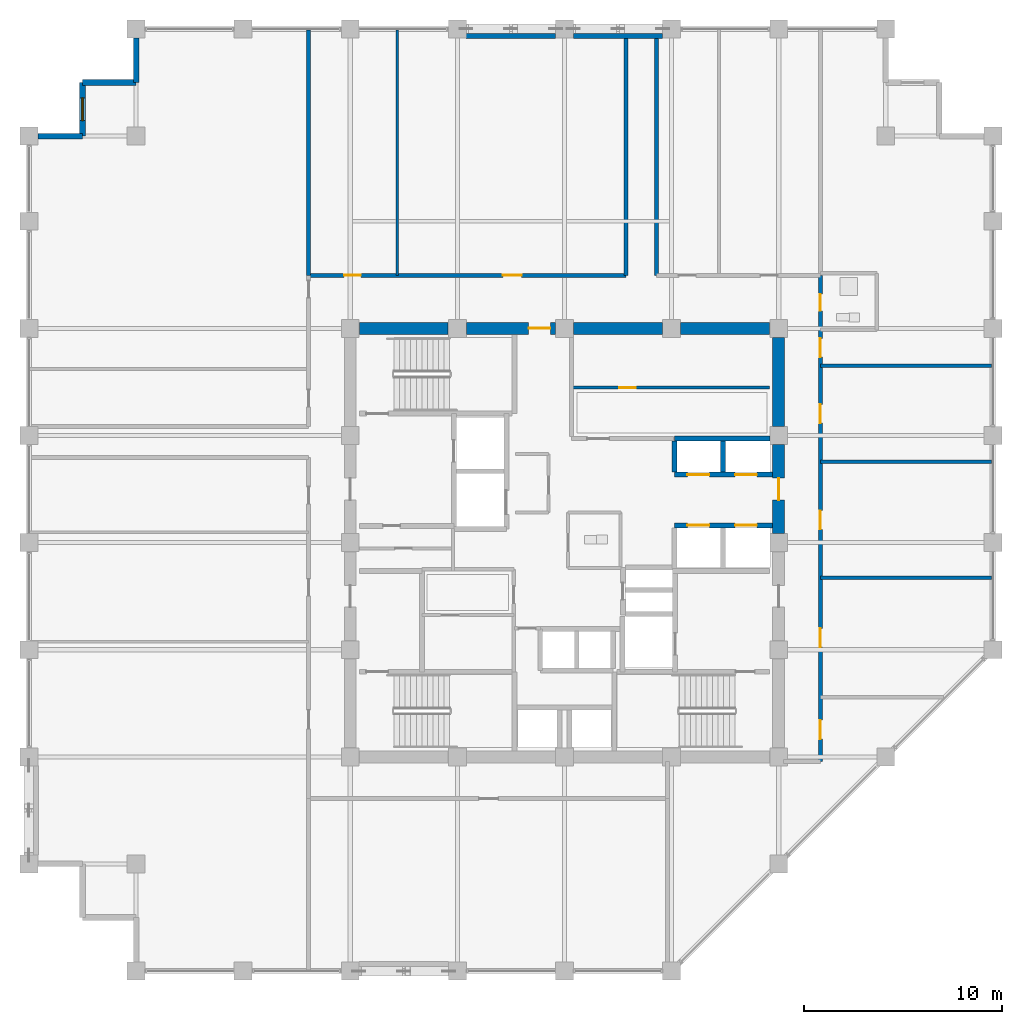
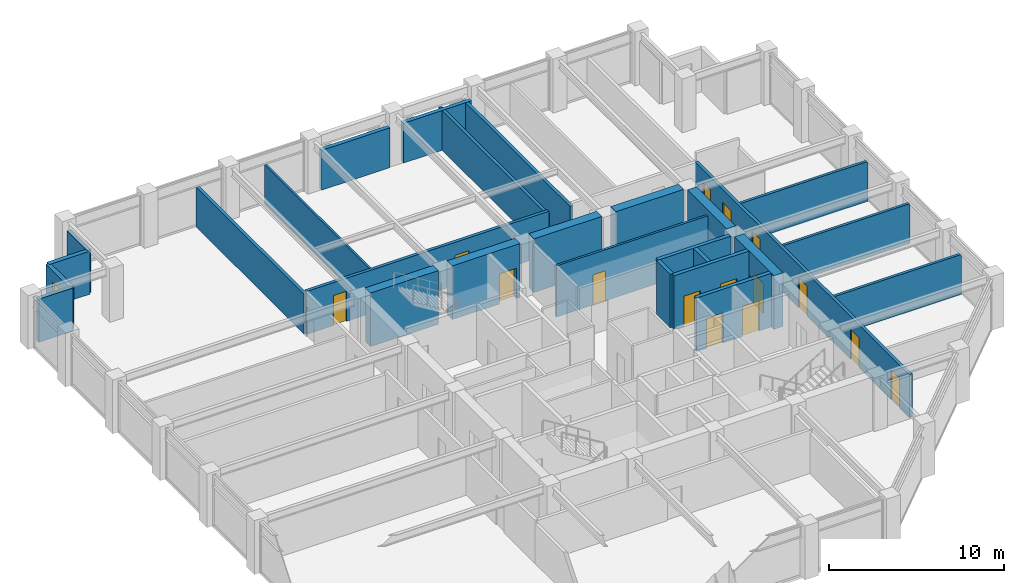
# One storey, part 29 of 32: 27 walls, 15 doors, 1 window, 16 openings.
"""IFC4 building model written with IfcOpenShell, lengths in metres."""

from ifc_helpers import new_model, si_unit, direction, frame, frame_2d, origin, place, context, subcontext, project, spatial, rectangle, extrude, material, layer, layer_set, type_object, element, fill, save


model = new_model("IFC4")

# Units and contexts
model_context = context("Model", 3, precision=1e-05, world=origin(), true_north=direction((0.0, 1.0)))
body_context = subcontext(model_context, "Body", "Model", "MODEL_VIEW")
ifc_project = project(units=[si_unit("LENGTHUNIT", "METRE"), si_unit("AREAUNIT", "SQUARE_METRE"), si_unit("VOLUMEUNIT", "CUBIC_METRE"), si_unit("PLANEANGLEUNIT", "RADIAN"), si_unit("MASSUNIT", "GRAM", prefix="KILO")], contexts=[model_context])

# Site, building, storey
site_placement = place(None, origin())
site = spatial("IfcSite", under=ifc_project, at=site_placement, CompositionType="ELEMENT")
building_placement = place(site_placement, origin())
building = spatial("IfcBuilding", under=site, at=building_placement, Name="Surkhivell Harbour Commons", CompositionType="ELEMENT")
storey_placement = place(building_placement, frame((0.0, 0.0, 201.0)))
storey = spatial("IfcBuildingStorey", under=building, at=storey_placement, Name="L52", CompositionType="ELEMENT", Elevation=201.0)

# Wall
ifc_material_1 = material(Name="Concrete C60/75", Category="concrete")
ifc_layer_1 = layer(ifc_material_1, 0.60009765625)
ifc_layer_set_1 = layer_set([ifc_layer_1], Name="Concrete C60/75")
wall_type_1 = type_object("IfcWallType", Name="WAL-CORE-600", PredefinedType="SHEAR", material=ifc_layer_set_1)
wall_1_placement = place(storey_placement, frame((-10.340087890625, 10.800048828125, 0.0), z_axis=(0.0, 0.0, 1.0), x_axis=(1.0, 0.0, 0.0)))
element("IfcWall", 1, at=wall_1_placement, inside=storey, type_object=wall_type_1, Name="L52 Core Shear Wall North 1", PredefinedType="SHEAR", context=body_context, shape_type="SweptSolid", body=[
    extrude(rectangle(XDim=4.47998046875, YDim=0.60009765625, at=frame_2d((2.239990234375, 0.0))), origin(), (0.0, 0.0, 1.0), 3.75),
])

# Wall, opening, door
wall_2_placement = place(storey_placement, frame((-4.93994140625, 10.800048828125, 0.0), z_axis=(0.0, 0.0, 1.0), x_axis=(1.0, 0.0, 0.0)))
wall_2 = element("IfcWall", 2, at=wall_2_placement, inside=storey, type_object=wall_type_1, Name="L52 Core Shear Wall North 2", PredefinedType="SHEAR", context=body_context, shape_type="SweptSolid", body=[
    extrude(rectangle(XDim=4.47998046875, YDim=0.60009765625, at=frame_2d((2.239990234375, 0.0))), origin(), (0.0, 0.0, 1.0), 3.75),
])
opening_1_placement = place(wall_2_placement, frame((3.1298828125, 0.0, 0.0)))
opening_1 = element("IfcOpeningElement", 3, at=opening_1_placement, cuts=wall_2, Name="Opening ID-2", PredefinedType="OPENING", context=body_context, shape_type="SweptSolid", body=[
    extrude(rectangle(XDim=1.10009765625, YDim=2.10009765625, at=frame_2d((0.550048828125, 1.050048828125))), frame((0.0, 0.31005859375, 0.0), z_axis=(0.0, -1.0, 0.0), x_axis=(1.0, 0.0, 0.0)), (0.0, 0.0, 1.0), 0.6201171875),
])
ifc_material_2 = material(Name="Hardwood-veneered fire-rated door leaf", Category="wood")
door_type_1 = type_object("IfcDoorType", Name="DOR-FD60-1100", OperationType="NOTDEFINED", PredefinedType="DOOR", material=ifc_material_2)
door_1_placement = place(opening_1_placement, origin())
door_1 = element("IfcDoor", 4, at=door_1_placement, inside=storey, type_object=door_type_1, Name="L52 Central Core Lift Hall North Corridor Door", OperationType="SINGLE_SWING_LEFT", OverallHeight=2.10009765625, OverallWidth=1.10009765625, PredefinedType="DOOR", context=body_context, shape_type="SweptSolid", body=[
    extrude(rectangle(XDim=1.10009765625, YDim=2.10009765625, at=frame_2d((0.550048828125, 1.050048828125))), frame((0.0, 0.02490234375, 0.0), z_axis=(0.0, -1.0, 0.0), x_axis=(1.0, 0.0, 0.0)), (0.0, 0.0, 1.0), 0.050048828125),
])
fill(opening_1, door_1)

# Wall
wall_3_placement = place(storey_placement, frame((0.4599609375, 10.800048828125, 0.0), z_axis=(0.0, 0.0, 1.0), x_axis=(1.0, 0.0, 0.0)))
element("IfcWall", 5, at=wall_3_placement, inside=storey, type_object=wall_type_1, Name="L52 Core Shear Wall North 3", PredefinedType="SHEAR", context=body_context, shape_type="SweptSolid", body=[
    extrude(rectangle(XDim=4.47998046875, YDim=0.60009765625, at=frame_2d((2.239990234375, 0.0))), origin(), (0.0, 0.0, 1.0), 3.75),
])

# Wall, opening, door
wall_4_placement = place(storey_placement, frame((10.800048828125, 0.4599609375, 0.0), z_axis=(0.0, 0.0, 1.0), x_axis=(0.0, 1.0, 0.0)))
wall_4 = element("IfcWall", 6, at=wall_4_placement, inside=storey, type_object=wall_type_1, Name="L52 Core Shear Wall East 3", PredefinedType="SHEAR", context=body_context, shape_type="SweptSolid", body=[
    extrude(rectangle(XDim=4.47998046875, YDim=0.60009765625, at=frame_2d((2.239990234375, 0.0))), origin(), (0.0, 0.0, 1.0), 3.75),
])
opening_2_placement = place(wall_4_placement, frame((1.68994140625, 0.0, 0.0)))
opening_2 = element("IfcOpeningElement", 7, at=opening_2_placement, cuts=wall_4, Name="Opening ID-2", PredefinedType="OPENING", context=body_context, shape_type="SweptSolid", body=[
    extrude(rectangle(XDim=1.10009765625, YDim=2.10009765625, at=frame_2d((0.550048828125, 1.050048828125))), frame((0.0, 0.31005859375, 0.0), z_axis=(0.0, -1.0, 0.0), x_axis=(1.0, 0.0, 0.0)), (0.0, 0.0, 1.0), 0.6201171875),
])
door_2_placement = place(opening_2_placement, origin())
door_2 = element("IfcDoor", 8, at=door_2_placement, inside=storey, type_object=door_type_1, Name="L52 Mid-Rise Lobby East Door", OperationType="SINGLE_SWING_LEFT", OverallHeight=2.10009765625, OverallWidth=1.10009765625, PredefinedType="DOOR", context=body_context, shape_type="SweptSolid", body=[
    extrude(rectangle(XDim=1.10009765625, YDim=2.10009765625, at=frame_2d((0.550048828125, 1.050048828125))), frame((0.0, 0.02490234375, 0.0), z_axis=(0.0, -1.0, 0.0), x_axis=(1.0, 0.0, 0.0)), (0.0, 0.0, 1.0), 0.050048828125),
])
fill(opening_2, door_2)

# Walls
for number, where, z_axis, x_axis, name in (
    (9, (5.860107421875, 10.800048828125, 0.0), (0.0, 0.0, 1.0), (1.0, 0.0, 0.0), "L52 Core Shear Wall North 4"),
    (10, (10.800048828125, 5.860107421875, 0.0), (0.0, 0.0, 1.0), (0.0, 1.0, 0.0), "L52 Core Shear Wall East 4"),
):
    element("IfcWall", number, at=place(storey_placement, frame(where, z_axis=z_axis, x_axis=x_axis)), inside=storey, type_object=wall_type_1, Name=name, PredefinedType="SHEAR", context=body_context, shape_type="SweptSolid", body=[
        extrude(rectangle(XDim=4.47998046875, YDim=0.60009765625, at=frame_2d((2.239990234375, 0.0))), origin(), (0.0, 0.0, 1.0), 3.75),
    ])
ifc_material_3 = material(Name="Pale-metal insulated precast concrete C45/55", Category="concrete")
ifc_layer_2 = layer(ifc_material_3, 0.260009765625)
ifc_layer_set_2 = layer_set([ifc_layer_2], Name="Pale-metal insulated precast concrete C45/55")
wall_type_2 = type_object("IfcWallType", Name="WAL-EXT-MTL260", PredefinedType="STANDARD", material=ifc_layer_set_2)
for number, where, z_axis, x_axis, name in (
    (11, (-0.447998046875, 25.5400390625, 0.0), (0.0, 0.0, 1.0), (-1.0, 0.0, 0.0), "L52 Braced-Bay Insulated Spandrel Backing N"),
    (12, (4.951904296875, 25.5400390625, 0.0), (0.0, 0.0, 1.0), (-1.0, 0.0, 0.0), "L52 Braced-Bay Insulated Spandrel Backing N2"),
):
    element("IfcWall", number, at=place(storey_placement, frame(where, z_axis=z_axis, x_axis=x_axis)), inside=storey, type_object=wall_type_2, Name=name, PredefinedType="STANDARD", context=body_context, shape_type="SweptSolid", body=[
        extrude(rectangle(XDim=4.50390625, YDim=0.260009765625, at=frame_2d((2.251953125, 0.0))), origin(), (0.0, 0.0, 1.0), 2.780029296875),
    ])
ifc_material_4 = material(Name="Terracotta-clad reinforced concrete C45/55", Category="masonry")
ifc_layer_3 = layer(ifc_material_4, 0.280029296875)
ifc_layer_set_3 = layer_set([ifc_layer_3], Name="Terracotta-clad reinforced concrete C45/55")
wall_type_3 = type_object("IfcWallType", Name="WAL-EXT-TER280", PredefinedType="STANDARD", material=ifc_layer_set_3)
wall_5_placement = place(storey_placement, frame((-21.60009765625, 25.451904296875, 0.0), z_axis=(0.0, 0.0, 1.0), x_axis=(0.0, -1.0, 0.0)))
element("IfcWall", 13, at=wall_5_placement, inside=storey, type_object=wall_type_3, Name="L52 Serrated Corner Facade Wall 08", PredefinedType="STANDARD", context=body_context, shape_type="SweptSolid", body=[
    extrude(rectangle(XDim=2.251953125, YDim=0.280029296875, at=frame_2d((1.1259765625, 0.0))), origin(), (0.0, 0.0, 1.0), 3.006103515625),
])
wall_6_placement = place(storey_placement, frame((-21.60009765625, 23.199951171875, 0.0), z_axis=(0.0, 0.0, 1.0), x_axis=(-1.0, 0.0, 0.0)))
element("IfcWall", 14, at=wall_6_placement, inside=storey, type_object=wall_type_3, Name="L52 Serrated Corner Facade Wall 09", PredefinedType="STANDARD", context=body_context, shape_type="SweptSolid", body=[
    extrude(rectangle(XDim=2.699951171875, YDim=0.280029296875, at=frame_2d((1.35009765625, 0.0))), origin(), (0.0, 0.0, 1.0), 3.006103515625),
])

# Wall, opening, window
wall_7_placement = place(storey_placement, frame((-24.300048828125, 23.199951171875, 0.0), z_axis=(0.0, 0.0, 1.0), x_axis=(0.0, -1.0, 0.0)))
wall_7 = element("IfcWall", 15, at=wall_7_placement, inside=storey, type_object=wall_type_3, Name="L52 Serrated Corner Facade Wall 10", PredefinedType="STANDARD", context=body_context, shape_type="SweptSolid", body=[
    extrude(rectangle(XDim=2.699951171875, YDim=0.280029296875, at=frame_2d((1.35009765625, 0.0))), origin(), (0.0, 0.0, 1.0), 3.006103515625),
])
opening_3_placement = place(wall_7_placement, frame((0.77490234375, 0.0, 0.64990234375)))
opening_3 = element("IfcOpeningElement", 16, at=opening_3_placement, cuts=wall_7, Name="Opening WN-10", PredefinedType="OPENING", context=body_context, shape_type="SweptSolid", body=[
    extrude(rectangle(XDim=1.14990234375, YDim=1.550048828125, at=frame_2d((0.574951171875, 0.77490234375))), frame((0.0, 0.14990234375, 0.0), z_axis=(0.0, -1.0, 0.0), x_axis=(1.0, 0.0, 0.0)), (0.0, 0.0, 1.0), 0.300048828125),
])
ifc_material_5 = material(Name="Thermal-break aluminium frame and double low-E glazing", Category="aluminium")
window_type = type_object("IfcWindowType", Name="WIN-SER-1150x1550", PartitioningType="SINGLE_PANEL", PredefinedType="WINDOW", material=ifc_material_5)
window_placement = place(opening_3_placement, origin())
window = element("IfcWindow", 17, at=window_placement, inside=storey, type_object=window_type, Name="L52 Serrated Alcove Window 10", OverallHeight=1.550048828125, OverallWidth=1.14990234375, PartitioningType="SINGLE_PANEL", PredefinedType="WINDOW", context=body_context, shape_type="SweptSolid", body=[
    extrude(rectangle(XDim=1.14990234375, YDim=1.550048828125, at=frame_2d((0.574951171875, 0.77490234375))), frame((0.0, 0.030029296875, 0.0), z_axis=(0.0, -1.0, 0.0), x_axis=(1.0, 0.0, 0.0)), (0.0, 0.0, 1.0), 0.06005859375),
])
fill(opening_3, window)

# Walls
wall_8_placement = place(storey_placement, frame((-24.300048828125, 20.5, 0.0), z_axis=(0.0, 0.0, 1.0), x_axis=(-1.0, 0.0, 0.0)))
element("IfcWall", 18, at=wall_8_placement, inside=storey, type_object=wall_type_3, Name="L52 Serrated Corner Facade Wall 11", PredefinedType="STANDARD", context=body_context, shape_type="SweptSolid", body=[
    extrude(rectangle(XDim=2.251953125, YDim=0.280029296875, at=frame_2d((1.1259765625, 0.0))), origin(), (0.0, 0.0, 1.0), 3.006103515625),
])
ifc_material_6 = material(Name="Moisture-resistant acoustic stud partition", Category="other")
ifc_layer_4 = layer(ifc_material_6, 0.125)
ifc_layer_set_4 = layer_set([ifc_layer_4], Name="Moisture-resistant acoustic stud partition")
wall_type_4 = type_object("IfcWallType", Name="WAL-INT-125", PredefinedType="PARTITIONING", material=ifc_layer_set_4)
wall_9_placement = place(storey_placement, frame((-8.419921875, 13.47998046875, 0.0), z_axis=(0.0, 0.0, 1.0), x_axis=(0.0, 1.0, 0.0)))
element("IfcWall", 19, at=wall_9_placement, inside=storey, type_object=wall_type_4, Name="L52 North-West Partition P1", PredefinedType="PARTITIONING", context=body_context, shape_type="SweptSolid", body=[
    extrude(rectangle(XDim=12.360107421875, YDim=0.125, at=frame_2d((6.18017578125, 0.0))), origin(), (0.0, 0.0, 1.0), 2.780029296875),
])

# Wall, opening, door
ifc_material_7 = material(Name="Twin-stud acoustic fireboard partition", Category="other")
ifc_layer_5 = layer(ifc_material_7, 0.14990234375)
ifc_layer_set_5 = layer_set([ifc_layer_5], Name="Twin-stud acoustic fireboard partition")
wall_type_5 = type_object("IfcWallType", Name="WAL-INT-150", PredefinedType="PARTITIONING", material=ifc_layer_set_5)
wall_10_placement = place(storey_placement, frame((0.35009765625, 7.820068359375, 0.0), z_axis=(0.0, 0.0, 1.0), x_axis=(1.0, 0.0, 0.0)))
wall_10 = element("IfcWall", 20, at=wall_10_placement, inside=storey, type_object=wall_type_5, Name="L52 Core Archive Partition", PredefinedType="PARTITIONING", context=body_context, shape_type="SweptSolid", body=[
    extrude(rectangle(XDim=9.989990234375, YDim=0.14990234375, at=frame_2d((4.9951171875, 0.0))), origin(), (0.0, 0.0, 1.0), 3.570068359375),
])
opening_4_placement = place(wall_10_placement, frame((2.39990234375, 0.0, 0.0)))
opening_4 = element("IfcOpeningElement", 21, at=opening_4_placement, cuts=wall_10, Name="Opening ID-6", PredefinedType="OPENING", context=body_context, shape_type="SweptSolid", body=[
    extrude(rectangle(XDim=0.85009765625, YDim=2.10009765625, at=frame_2d((0.425048828125, 1.050048828125))), frame((0.0, 0.0849609375, 0.0), z_axis=(0.0, -1.0, 0.0), x_axis=(1.0, 0.0, 0.0)), (0.0, 0.0, 1.0), 0.169921875),
])
door_type_2 = type_object("IfcDoorType", Name="DOR-FD30-850", OperationType="NOTDEFINED", PredefinedType="DOOR", material=ifc_material_2)
door_3_placement = place(opening_4_placement, origin())
door_3 = element("IfcDoor", 22, at=door_3_placement, inside=storey, type_object=door_type_2, Name="L52 Archive Room Door", OperationType="SINGLE_SWING_LEFT", OverallHeight=2.10009765625, OverallWidth=0.85009765625, PredefinedType="DOOR", context=body_context, shape_type="SweptSolid", body=[
    extrude(rectangle(XDim=0.85009765625, YDim=2.10009765625, at=frame_2d((0.425048828125, 1.050048828125))), frame((0.0, 0.02490234375, 0.0), z_axis=(0.0, -1.0, 0.0), x_axis=(1.0, 0.0, 0.0)), (0.0, 0.0, 1.0), 0.050048828125),
])
fill(opening_4, door_3)

# Walls
ifc_material_8 = material(Name="High-density acoustic blockwork fire partition", Category="masonry")
ifc_layer_6 = layer(ifc_material_8, 0.175048828125)
ifc_layer_set_6 = layer_set([ifc_layer_6], Name="High-density acoustic blockwork fire partition")
wall_type_6 = type_object("IfcWallType", Name="WAL-INT-175", PredefinedType="PARTITIONING", material=ifc_layer_set_6)
for number, where, z_axis, x_axis, name in (
    (23, (12.89990234375, -1.780029296875, 0.0), (0.0, 0.0, 1.0), (1.0, 0.0, 0.0), "L52 East Partition BDP1"),
    (24, (12.89990234375, 4.080078125, 0.0), (0.0, 0.0, 1.0), (1.0, 0.0, 0.0), "L52 East Partition BDP2"),
    (25, (12.89990234375, 8.929931640625, 0.0), (0.0, 0.0, 1.0), (1.0, 0.0, 0.0), "L52 East Partition PTOP"),
):
    element("IfcWall", number, at=place(storey_placement, frame(where, z_axis=z_axis, x_axis=x_axis)), inside=storey, type_object=wall_type_6, Name=name, PredefinedType="PARTITIONING", context=body_context, shape_type="SweptSolid", body=[
        extrude(rectangle(XDim=8.64013671875, YDim=0.175048828125, at=frame_2d((4.320068359375, 0.0))), origin(), (0.0, 0.0, 1.0), 2.780029296875),
    ])
ifc_material_9 = material(Name="Autoclaved aerated concrete blockwork and fire plaster", Category="masonry")
ifc_layer_7 = layer(ifc_material_9, 0.199951171875)
ifc_layer_set_7 = layer_set([ifc_layer_7], Name="Autoclaved aerated concrete blockwork and fire plaster")
wall_type_7 = type_object("IfcWallType", Name="WAL-INT-200", PredefinedType="PARTITIONING", material=ifc_layer_set_7)
wall_11_placement = place(storey_placement, frame((-12.89990234375, 13.47998046875, 0.0), z_axis=(0.0, 0.0, 1.0), x_axis=(0.0, 1.0, 0.0)))
element("IfcWall", 26, at=wall_11_placement, inside=storey, type_object=wall_type_7, Name="L52 North-West Corner Wall", PredefinedType="PARTITIONING", context=body_context, shape_type="SweptSolid", body=[
    extrude(rectangle(XDim=12.360107421875, YDim=0.199951171875, at=frame_2d((6.18017578125, 0.0))), origin(), (0.0, 0.0, 1.0), 2.780029296875),
])

# Wall, openings, doors
wall_12_placement = place(storey_placement, frame((12.89990234375, -11.0400390625, 0.0), z_axis=(0.0, 0.0, 1.0), x_axis=(0.0, 1.0, 0.0)))
wall_12 = element("IfcWall", 27, at=wall_12_placement, inside=storey, type_object=wall_type_7, Name="L52 Corridor East Wall", PredefinedType="PARTITIONING", context=body_context, shape_type="SweptSolid", body=[
    extrude(rectangle(XDim=24.52001953125, YDim=0.199951171875, at=frame_2d((12.260009765625, 0.0))), origin(), (0.0, 0.0, 1.0), 3.006103515625),
])
opening_5_placement = place(wall_12_placement, frame((1.139892578125, 0.0, 0.0)))
opening_5 = element("IfcOpeningElement", 28, at=opening_5_placement, cuts=wall_12, Name="Opening ID-4", PredefinedType="OPENING", context=body_context, shape_type="SweptSolid", body=[
    extrude(rectangle(XDim=0.949951171875, YDim=2.10009765625, at=frame_2d((0.47509765625, 1.050048828125))), frame((0.0, 0.10986328125, 0.0), z_axis=(0.0, -1.0, 0.0), x_axis=(1.0, 0.0, 0.0)), (0.0, 0.0, 1.0), 0.219970703125),
])
opening_6_placement = place(wall_12_placement, frame((22.72509765625, 0.0, 0.0)))
opening_6 = element("IfcOpeningElement", 29, at=opening_6_placement, cuts=wall_12, Name="Opening ID-6", PredefinedType="OPENING", context=body_context, shape_type="SweptSolid", body=[
    extrude(rectangle(XDim=0.85009765625, YDim=2.10009765625, at=frame_2d((0.425048828125, 1.050048828125))), frame((0.0, 0.10986328125, 0.0), z_axis=(0.0, -1.0, 0.0), x_axis=(1.0, 0.0, 0.0)), (0.0, 0.0, 1.0), 0.219970703125),
])
opening_7_placement = place(wall_12_placement, frame((20.389892578125, 0.0, 0.0)))
opening_7 = element("IfcOpeningElement", 30, at=opening_7_placement, cuts=wall_12, Name="Opening ID-4", PredefinedType="OPENING", context=body_context, shape_type="SweptSolid", body=[
    extrude(rectangle(XDim=0.949951171875, YDim=2.10009765625, at=frame_2d((0.47509765625, 1.050048828125))), frame((0.0, 0.10986328125, 0.0), z_axis=(0.0, -1.0, 0.0), x_axis=(1.0, 0.0, 0.0)), (0.0, 0.0, 1.0), 0.219970703125),
])
opening_8_placement = place(wall_12_placement, frame((5.77001953125, 0.0, 0.0)))
opening_8 = element("IfcOpeningElement", 31, at=opening_8_placement, cuts=wall_12, Name="Opening ID-4", PredefinedType="OPENING", context=body_context, shape_type="SweptSolid", body=[
    extrude(rectangle(XDim=0.949951171875, YDim=2.10009765625, at=frame_2d((0.47509765625, 1.050048828125))), frame((0.0, 0.10986328125, 0.0), z_axis=(0.0, -1.0, 0.0), x_axis=(1.0, 0.0, 0.0)), (0.0, 0.0, 1.0), 0.219970703125),
])
opening_9_placement = place(wall_12_placement, frame((11.7099609375, 0.0, 0.0)))
opening_9 = element("IfcOpeningElement", 32, at=opening_9_placement, cuts=wall_12, Name="Opening ID-4", PredefinedType="OPENING", context=body_context, shape_type="SweptSolid", body=[
    extrude(rectangle(XDim=0.949951171875, YDim=2.10009765625, at=frame_2d((0.47509765625, 1.050048828125))), frame((0.0, 0.10986328125, 0.0), z_axis=(0.0, -1.0, 0.0), x_axis=(1.0, 0.0, 0.0)), (0.0, 0.0, 1.0), 0.219970703125),
])
opening_10_placement = place(wall_12_placement, frame((17.06494140625, 0.0, 0.0)))
opening_10 = element("IfcOpeningElement", 33, at=opening_10_placement, cuts=wall_12, Name="Opening ID-4", PredefinedType="OPENING", context=body_context, shape_type="SweptSolid", body=[
    extrude(rectangle(XDim=0.949951171875, YDim=2.10009765625, at=frame_2d((0.47509765625, 1.050048828125))), frame((0.0, 0.10986328125, 0.0), z_axis=(0.0, -1.0, 0.0), x_axis=(1.0, 0.0, 0.0)), (0.0, 0.0, 1.0), 0.219970703125),
])
door_4_placement = place(opening_6_placement, origin())
door_4 = element("IfcDoor", 34, at=door_4_placement, inside=storey, type_object=door_type_2, Name="L52 Communal Shower Bathroom East Door", OperationType="SINGLE_SWING_RIGHT", OverallHeight=2.10009765625, OverallWidth=0.85009765625, PredefinedType="DOOR", context=body_context, shape_type="SweptSolid", body=[
    extrude(rectangle(XDim=0.85009765625, YDim=2.10009765625, at=frame_2d((0.425048828125, 1.050048828125))), frame((0.0, 0.02490234375, 0.0), z_axis=(0.0, -1.0, 0.0), x_axis=(1.0, 0.0, 0.0)), (0.0, 0.0, 1.0), 0.050048828125),
])
fill(opening_6, door_4)
door_type_3 = type_object("IfcDoorType", Name="DOR-FD60-950", OperationType="NOTDEFINED", PredefinedType="DOOR", material=ifc_material_2)
door_5_placement = place(opening_5_placement, origin())
door_5 = element("IfcDoor", 35, at=door_5_placement, inside=storey, type_object=door_type_3, Name="L52 Shared Communal Kitchen East Door", OperationType="SINGLE_SWING_LEFT", OverallHeight=2.10009765625, OverallWidth=0.949951171875, PredefinedType="DOOR", context=body_context, shape_type="SweptSolid", body=[
    extrude(rectangle(XDim=0.949951171875, YDim=2.10009765625, at=frame_2d((0.47509765625, 1.050048828125))), frame((0.0, 0.02490234375, 0.0), z_axis=(0.0, -1.0, 0.0), x_axis=(1.0, 0.0, 0.0)), (0.0, 0.0, 1.0), 0.050048828125),
])
fill(opening_5, door_5)
door_6_placement = place(opening_7_placement, origin())
door_6 = element("IfcDoor", 36, at=door_6_placement, inside=storey, type_object=door_type_3, Name="L52 Academic Reading Commons East Door", OperationType="SINGLE_SWING_LEFT", OverallHeight=2.10009765625, OverallWidth=0.949951171875, PredefinedType="DOOR", context=body_context, shape_type="SweptSolid", body=[
    extrude(rectangle(XDim=0.949951171875, YDim=2.10009765625, at=frame_2d((0.47509765625, 1.050048828125))), frame((0.0, 0.02490234375, 0.0), z_axis=(0.0, -1.0, 0.0), x_axis=(1.0, 0.0, 0.0)), (0.0, 0.0, 1.0), 0.050048828125),
])
fill(opening_7, door_6)
door_7_placement = place(opening_8_placement, origin())
door_7 = element("IfcDoor", 37, at=door_7_placement, inside=storey, type_object=door_type_3, Name="L52 Hostel Cluster Bedroom 1 East Door", OperationType="SINGLE_SWING_RIGHT", OverallHeight=2.10009765625, OverallWidth=0.949951171875, PredefinedType="DOOR", context=body_context, shape_type="SweptSolid", body=[
    extrude(rectangle(XDim=0.949951171875, YDim=2.10009765625, at=frame_2d((0.47509765625, 1.050048828125))), frame((0.0, 0.02490234375, 0.0), z_axis=(0.0, -1.0, 0.0), x_axis=(1.0, 0.0, 0.0)), (0.0, 0.0, 1.0), 0.050048828125),
])
fill(opening_8, door_7)
door_8_placement = place(opening_9_placement, origin())
door_8 = element("IfcDoor", 38, at=door_8_placement, inside=storey, type_object=door_type_3, Name="L52 Co-Living Dormitory Bedroom 2 East Door", OperationType="SINGLE_SWING_LEFT", OverallHeight=2.10009765625, OverallWidth=0.949951171875, PredefinedType="DOOR", context=body_context, shape_type="SweptSolid", body=[
    extrude(rectangle(XDim=0.949951171875, YDim=2.10009765625, at=frame_2d((0.47509765625, 1.050048828125))), frame((0.0, 0.02490234375, 0.0), z_axis=(0.0, -1.0, 0.0), x_axis=(1.0, 0.0, 0.0)), (0.0, 0.0, 1.0), 0.050048828125),
])
fill(opening_9, door_8)
door_9_placement = place(opening_10_placement, origin())
door_9 = element("IfcDoor", 39, at=door_9_placement, inside=storey, type_object=door_type_3, Name="L52 Hostel Cluster Bedroom 3 East Door", OperationType="SINGLE_SWING_RIGHT", OverallHeight=2.10009765625, OverallWidth=0.949951171875, PredefinedType="DOOR", context=body_context, shape_type="SweptSolid", body=[
    extrude(rectangle(XDim=0.949951171875, YDim=2.10009765625, at=frame_2d((0.47509765625, 1.050048828125))), frame((0.0, 0.02490234375, 0.0), z_axis=(0.0, -1.0, 0.0), x_axis=(1.0, 0.0, 0.0)), (0.0, 0.0, 1.0), 0.050048828125),
])
fill(opening_10, door_9)

wall_13_placement = place(storey_placement, frame((-12.89990234375, 13.47998046875, 0.0), z_axis=(0.0, 0.0, 1.0), x_axis=(1.0, 0.0, 0.0)))
wall_13 = element("IfcWall", 40, at=wall_13_placement, inside=storey, type_object=wall_type_7, Name="L52 Corridor North-West Wall", PredefinedType="PARTITIONING", context=body_context, shape_type="SweptSolid", body=[
    extrude(rectangle(XDim=16.0, YDim=0.199951171875, at=frame_2d((8.0, 0.0))), origin(), (0.0, 0.0, 1.0), 3.006103515625),
])
opening_11_placement = place(wall_13_placement, frame((1.7900390625, 0.0, 0.0)))
opening_11 = element("IfcOpeningElement", 41, at=opening_11_placement, cuts=wall_13, Name="Opening ID-6", PredefinedType="OPENING", context=body_context, shape_type="SweptSolid", body=[
    extrude(rectangle(XDim=0.85009765625, YDim=2.10009765625, at=frame_2d((0.425048828125, 1.050048828125))), frame((0.0, 0.10986328125, 0.0), z_axis=(0.0, -1.0, 0.0), x_axis=(1.0, 0.0, 0.0)), (0.0, 0.0, 1.0), 0.219970703125),
])
opening_12_placement = place(wall_13_placement, frame((9.7900390625, 0.0, 0.0)))
opening_12 = element("IfcOpeningElement", 42, at=opening_12_placement, cuts=wall_13, Name="Opening ID-4", PredefinedType="OPENING", context=body_context, shape_type="SweptSolid", body=[
    extrude(rectangle(XDim=0.949951171875, YDim=2.10009765625, at=frame_2d((0.47509765625, 1.050048828125))), frame((0.0, 0.10986328125, 0.0), z_axis=(0.0, -1.0, 0.0), x_axis=(1.0, 0.0, 0.0)), (0.0, 0.0, 1.0), 0.219970703125),
])
door_10_placement = place(opening_11_placement, origin())
door_10 = element("IfcDoor", 43, at=door_10_placement, inside=storey, type_object=door_type_2, Name="L52 Shared Communal Kitchen A North-West Door", OperationType="SINGLE_SWING_LEFT", OverallHeight=2.10009765625, OverallWidth=0.85009765625, PredefinedType="DOOR", context=body_context, shape_type="SweptSolid", body=[
    extrude(rectangle(XDim=0.85009765625, YDim=2.10009765625, at=frame_2d((0.425048828125, 1.050048828125))), frame((0.0, 0.02490234375, 0.0), z_axis=(0.0, -1.0, 0.0), x_axis=(1.0, 0.0, 0.0)), (0.0, 0.0, 1.0), 0.050048828125),
])
fill(opening_11, door_10)
door_11_placement = place(opening_12_placement, origin())
door_11 = element("IfcDoor", 44, at=door_11_placement, inside=storey, type_object=door_type_3, Name="L52 Shared Communal Kitchen B North-West Door", OperationType="SINGLE_SWING_RIGHT", OverallHeight=2.10009765625, OverallWidth=0.949951171875, PredefinedType="DOOR", context=body_context, shape_type="SweptSolid", body=[
    extrude(rectangle(XDim=0.949951171875, YDim=2.10009765625, at=frame_2d((0.47509765625, 1.050048828125))), frame((0.0, 0.02490234375, 0.0), z_axis=(0.0, -1.0, 0.0), x_axis=(1.0, 0.0, 0.0)), (0.0, 0.0, 1.0), 0.050048828125),
])
fill(opening_12, door_11)

# Walls
for number, where, z_axis, x_axis, name in (
    (45, (4.64990234375, 13.47998046875, 0.0), (0.0, 0.0, 1.0), (0.0, 1.0, 0.0), "L52 North Spur East Wall"),
    (46, (3.10009765625, 13.47998046875, 0.0), (0.0, 0.0, 1.0), (0.0, 1.0, 0.0), "L52 North Spur West Wall"),
):
    element("IfcWall", number, at=place(storey_placement, frame(where, z_axis=z_axis, x_axis=x_axis)), inside=storey, type_object=wall_type_7, Name=name, PredefinedType="PARTITIONING", context=body_context, shape_type="SweptSolid", body=[
        extrude(rectangle(XDim=12.360107421875, YDim=0.199951171875, at=frame_2d((6.18017578125, 0.0))), origin(), (0.0, 0.0, 1.0), 2.780029296875),
    ])
ifc_material_10 = material(Name="Concrete C50/60", Category="concrete")
ifc_layer_8 = layer(ifc_material_10, 0.25)
ifc_layer_set_8 = layer_set([ifc_layer_8], Name="Concrete C50/60")
wall_type_8 = type_object("IfcWallType", Name="WAL-SHAFT-250", PredefinedType="SHEAR", material=ifc_layer_set_8)
for number, where, z_axis, x_axis, name in (
    (47, (5.550048828125, 3.550048828125, 0.0), (0.0, 0.0, 1.0), (0.0, 1.0, 0.0), "L52 Mid-Rise Shaft Side Wall N"),
    (48, (8.0, 3.550048828125, 0.0), (0.0, 0.0, 1.0), (0.0, 1.0, 0.0), "L52 Mid-Rise Shaft Side Wall N"),
):
    element("IfcWall", number, at=place(storey_placement, frame(where, z_axis=z_axis, x_axis=x_axis)), inside=storey, type_object=wall_type_8, Name=name, PredefinedType="SHEAR", context=body_context, shape_type="SweptSolid", body=[
        extrude(rectangle(XDim=1.570068359375, YDim=0.25, at=frame_2d((0.78515625, 0.0))), origin(), (0.0, 0.0, 1.0), 3.75),
    ])

# Wall, openings, doors
wall_14_placement = place(storey_placement, frame((5.550048828125, 3.429931640625, 0.0), z_axis=(0.0, 0.0, 1.0), x_axis=(1.0, 0.0, 0.0)))
wall_14 = element("IfcWall", 49, at=wall_14_placement, inside=storey, type_object=wall_type_8, Name="L52 Mid-Rise North Front Shaft Wall", PredefinedType="SHEAR", context=body_context, shape_type="SweptSolid", body=[
    extrude(rectangle(XDim=4.949951171875, YDim=0.25, at=frame_2d((2.47509765625, 0.0))), origin(), (0.0, 0.0, 1.0), 3.75),
])
opening_13_placement = place(wall_14_placement, frame((0.64990234375, 0.0, 0.0)))
opening_13 = element("IfcOpeningElement", 50, at=opening_13_placement, cuts=wall_14, Name="Opening LD-1", PredefinedType="OPENING", context=body_context, shape_type="SweptSolid", body=[
    extrude(rectangle(XDim=1.10009765625, YDim=2.10009765625, at=frame_2d((0.550048828125, 1.050048828125))), frame((0.0, 0.135009765625, 0.0), z_axis=(0.0, -1.0, 0.0), x_axis=(1.0, 0.0, 0.0)), (0.0, 0.0, 1.0), 0.27001953125),
])
opening_14_placement = place(wall_14_placement, frame((3.050048828125, 0.0, 0.0)))
opening_14 = element("IfcOpeningElement", 51, at=opening_14_placement, cuts=wall_14, Name="Opening LD-1", PredefinedType="OPENING", context=body_context, shape_type="SweptSolid", body=[
    extrude(rectangle(XDim=1.10009765625, YDim=2.10009765625, at=frame_2d((0.550048828125, 1.050048828125))), frame((0.0, 0.135009765625, 0.0), z_axis=(0.0, -1.0, 0.0), x_axis=(1.0, 0.0, 0.0)), (0.0, 0.0, 1.0), 0.27001953125),
])
ifc_material_11 = material(Name="Brushed stainless steel S355", Category="steel")
door_type_4 = type_object("IfcDoorType", Name="DOR-LD-1100", OperationType="SLIDING_TO_LEFT", PredefinedType="DOOR", material=ifc_material_11)
door_12_placement = place(opening_13_placement, origin())
door_12 = element("IfcDoor", 52, at=door_12_placement, inside=storey, type_object=door_type_4, Name="L52 Lift Landing Door LD-PM1", OperationType="SLIDING_TO_RIGHT", OverallHeight=2.10009765625, OverallWidth=1.10009765625, PredefinedType="DOOR", context=body_context, shape_type="SweptSolid", body=[
    extrude(rectangle(XDim=1.10009765625, YDim=2.10009765625, at=frame_2d((0.550048828125, 1.050048828125))), frame((0.0, 0.02490234375, 0.0), z_axis=(0.0, -1.0, 0.0), x_axis=(1.0, 0.0, 0.0)), (0.0, 0.0, 1.0), 0.050048828125),
])
fill(opening_13, door_12)
door_13_placement = place(opening_14_placement, origin())
door_13 = element("IfcDoor", 53, at=door_13_placement, inside=storey, type_object=door_type_4, Name="L52 Lift Landing Door LD-PM2", OperationType="SLIDING_TO_RIGHT", OverallHeight=2.10009765625, OverallWidth=1.10009765625, PredefinedType="DOOR", context=body_context, shape_type="SweptSolid", body=[
    extrude(rectangle(XDim=1.10009765625, YDim=2.10009765625, at=frame_2d((0.550048828125, 1.050048828125))), frame((0.0, 0.02490234375, 0.0), z_axis=(0.0, -1.0, 0.0), x_axis=(1.0, 0.0, 0.0)), (0.0, 0.0, 1.0), 0.050048828125),
])
fill(opening_14, door_13)

# Wall
wall_15_placement = place(storey_placement, frame((5.550048828125, 5.239990234375, 0.0), z_axis=(0.0, 0.0, 1.0), x_axis=(1.0, 0.0, 0.0)))
element("IfcWall", 54, at=wall_15_placement, inside=storey, type_object=wall_type_8, Name="L52 Mid-Rise North Back Shaft Wall", PredefinedType="SHEAR", context=body_context, shape_type="SweptSolid", body=[
    extrude(rectangle(XDim=4.800048828125, YDim=0.25, at=frame_2d((2.39990234375, 0.0))), origin(), (0.0, 0.0, 1.0), 3.75),
])

# Wall, openings, doors
wall_16_placement = place(storey_placement, frame((5.550048828125, 0.8701171875, 0.0), z_axis=(0.0, 0.0, 1.0), x_axis=(1.0, 0.0, 0.0)))
wall_16 = element("IfcWall", 55, at=wall_16_placement, inside=storey, type_object=wall_type_8, Name="L52 Mid-Rise South Front Shaft Wall", PredefinedType="SHEAR", context=body_context, shape_type="SweptSolid", body=[
    extrude(rectangle(XDim=4.949951171875, YDim=0.25, at=frame_2d((2.47509765625, 0.0))), origin(), (0.0, 0.0, 1.0), 3.75),
])
opening_15_placement = place(wall_16_placement, frame((0.64990234375, 0.0, 0.0)))
opening_15 = element("IfcOpeningElement", 56, at=opening_15_placement, cuts=wall_16, Name="Opening LD-1", PredefinedType="OPENING", context=body_context, shape_type="SweptSolid", body=[
    extrude(rectangle(XDim=1.10009765625, YDim=2.10009765625, at=frame_2d((0.550048828125, 1.050048828125))), frame((0.0, 0.135009765625, 0.0), z_axis=(0.0, -1.0, 0.0), x_axis=(1.0, 0.0, 0.0)), (0.0, 0.0, 1.0), 0.27001953125),
])
opening_16_placement = place(wall_16_placement, frame((3.050048828125, 0.0, 0.0)))
opening_16 = element("IfcOpeningElement", 57, at=opening_16_placement, cuts=wall_16, Name="Opening LD-1", PredefinedType="OPENING", context=body_context, shape_type="SweptSolid", body=[
    extrude(rectangle(XDim=1.10009765625, YDim=2.10009765625, at=frame_2d((0.550048828125, 1.050048828125))), frame((0.0, 0.135009765625, 0.0), z_axis=(0.0, -1.0, 0.0), x_axis=(1.0, 0.0, 0.0)), (0.0, 0.0, 1.0), 0.27001953125),
])
door_14_placement = place(opening_15_placement, origin())
door_14 = element("IfcDoor", 58, at=door_14_placement, inside=storey, type_object=door_type_4, Name="L52 Lift Landing Door LD-PM3", OperationType="SLIDING_TO_RIGHT", OverallHeight=2.10009765625, OverallWidth=1.10009765625, PredefinedType="DOOR", context=body_context, shape_type="SweptSolid", body=[
    extrude(rectangle(XDim=1.10009765625, YDim=2.10009765625, at=frame_2d((0.550048828125, 1.050048828125))), frame((0.0, 0.02490234375, 0.0), z_axis=(0.0, -1.0, 0.0), x_axis=(1.0, 0.0, 0.0)), (0.0, 0.0, 1.0), 0.050048828125),
])
fill(opening_15, door_14)
door_15_placement = place(opening_16_placement, origin())
door_15 = element("IfcDoor", 59, at=door_15_placement, inside=storey, type_object=door_type_4, Name="L52 Lift Landing Door LD-PM4", OperationType="SLIDING_TO_RIGHT", OverallHeight=2.10009765625, OverallWidth=1.10009765625, PredefinedType="DOOR", context=body_context, shape_type="SweptSolid", body=[
    extrude(rectangle(XDim=1.10009765625, YDim=2.10009765625, at=frame_2d((0.550048828125, 1.050048828125))), frame((0.0, 0.02490234375, 0.0), z_axis=(0.0, -1.0, 0.0), x_axis=(1.0, 0.0, 0.0)), (0.0, 0.0, 1.0), 0.050048828125),
])
fill(opening_16, door_15)

save(model, "model.ifc")
